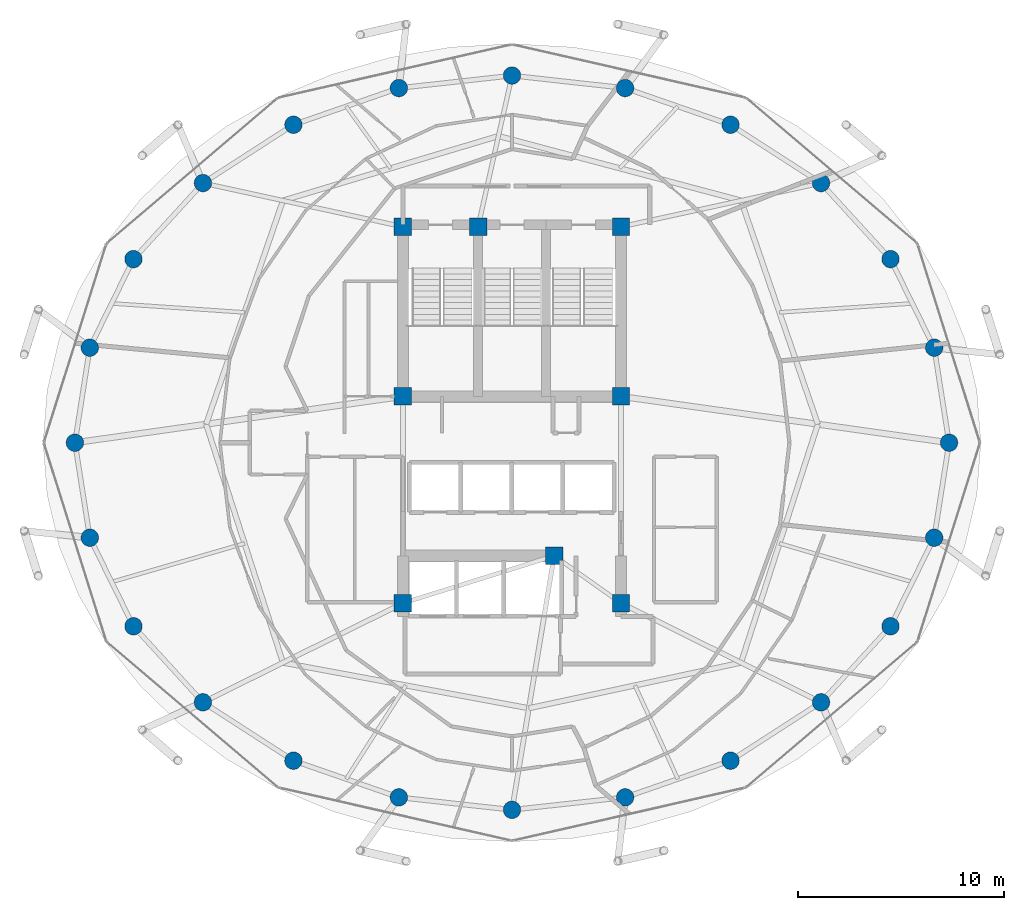
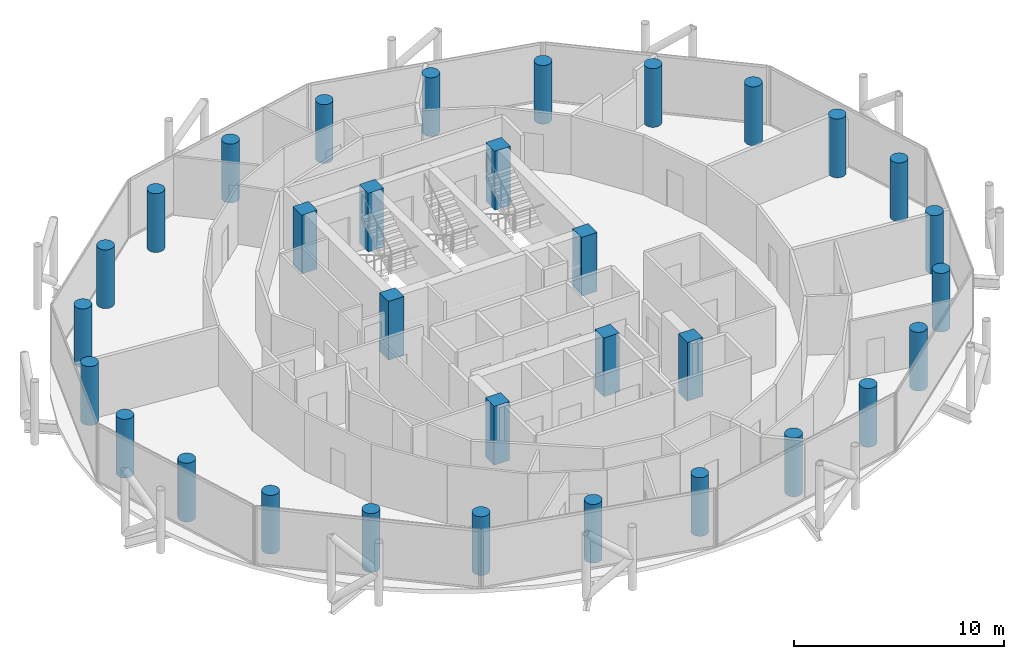
# One storey, part 1 of 27: 32 columns.
"""IFC4 building model written with IfcOpenShell, lengths in metres."""

from ifc_helpers import new_model, si_unit, direction, frame, origin, origin_2d, place, context, subcontext, project, spatial, rectangle, circle, extrude, material, material_profile, profile_set, type_object, element, save


model = new_model("IFC4")

# Units and contexts
model_context = context("Model", 3, precision=1e-05, world=origin(), true_north=direction((0.0, 1.0)))
body_context = subcontext(model_context, "Body", "Model", "MODEL_VIEW")
ifc_project = project(units=[si_unit("LENGTHUNIT", "METRE"), si_unit("AREAUNIT", "SQUARE_METRE"), si_unit("VOLUMEUNIT", "CUBIC_METRE"), si_unit("PLANEANGLEUNIT", "RADIAN"), si_unit("MASSUNIT", "GRAM", prefix="KILO")], contexts=[model_context])

# Site, building, storey
site_placement = place(None, origin())
site = spatial("IfcSite", under=ifc_project, at=site_placement, CompositionType="ELEMENT")
building_placement = place(site_placement, origin())
building = spatial("IfcBuilding", under=site, at=building_placement, Name="Nuhasar Tower", CompositionType="ELEMENT")
storey_placement = place(building_placement, frame((0.0, 0.0, 241.0)))
storey = spatial("IfcBuildingStorey", under=building, at=storey_placement, Name="L59", CompositionType="ELEMENT", Elevation=241.0)

# Columns
ifc_material = material(Name="Concrete C55/67", Category="concrete")
ifc_material_profile_1 = material_profile(ifc_material, circle(Radius=0.425048828125, at=origin_2d()), Name="CFT850")
ifc_profile_set_1 = profile_set([ifc_material_profile_1], Name="Concrete C55/67")
column_type_1 = type_object("IfcColumnType", Name="COL-CFT-850", PredefinedType="COLUMN", material=ifc_profile_set_1)
for number, where, z_axis, x_axis, name in (
    (1, (60.25, 26.800048828125, 0.0), (0.0, 0.0, 1.0), (1.0, 0.0, 0.0), "L59 Perimeter Composite Column TC-01"),
    (2, (59.52587890625, 31.419921875, 0.0), (0.0, 0.0, 1.0), (1.0, 0.0, 0.0), "L59 Perimeter Composite Column TC-02"),
    (3, (57.403076171875, 35.72509765625, 0.0), (0.0, 0.0, 1.0), (1.0, 0.0, 0.0), "L59 Perimeter Composite Column TC-03"),
    (4, (54.02587890625, 39.422119140625, 0.0), (0.0, 0.0, 1.0), (1.0, 0.0, 0.0), "L59 Perimeter Composite Column TC-04"),
    (5, (49.625, 42.259033203125, 0.0), (0.0, 0.0, 1.0), (1.0, 0.0, 0.0), "L59 Perimeter Composite Column TC-05"),
    (6, (44.5, 44.0419921875, 0.0), (0.0, 0.0, 1.0), (1.0, 0.0, 0.0), "L59 Perimeter Composite Column TC-06"),
    (7, (39.0, 44.64990234375, 0.0), (0.0, 0.0, 1.0), (1.0, 0.0, 0.0), "L59 Perimeter Composite Column TC-07"),
    (8, (33.5, 44.0419921875, 0.0), (0.0, 0.0, 1.0), (1.0, 0.0, 0.0), "L59 Perimeter Composite Column TC-08"),
    (9, (28.375, 42.259033203125, 0.0), (0.0, 0.0, 1.0), (1.0, 0.0, 0.0), "L59 Perimeter Composite Column TC-09"),
    (10, (23.97412109375, 39.422119140625, 0.0), (0.0, 0.0, 1.0), (1.0, 0.0, 0.0), "L59 Perimeter Composite Column TC-10"),
    (11, (20.596923828125, 35.72509765625, 0.0), (0.0, 0.0, 1.0), (1.0, 0.0, 0.0), "L59 Perimeter Composite Column TC-11"),
    (12, (18.47412109375, 31.419921875, 0.0), (0.0, 0.0, 1.0), (1.0, 0.0, 0.0), "L59 Perimeter Composite Column TC-12"),
    (13, (17.75, 26.800048828125, 0.0), (0.0, 0.0, 1.0), (1.0, 0.0, 0.0), "L59 Perimeter Composite Column TC-13"),
    (14, (18.47412109375, 22.179931640625, 0.0), (0.0, 0.0, 1.0), (1.0, 0.0, 0.0), "L59 Perimeter Composite Column TC-14"),
    (15, (20.596923828125, 17.875, 0.0), (0.0, 0.0, 1.0), (1.0, 0.0, 0.0), "L59 Perimeter Composite Column TC-15"),
    (16, (23.97412109375, 14.177978515625, 0.0), (0.0, 0.0, 1.0), (1.0, 0.0, 0.0), "L59 Perimeter Composite Column TC-16"),
    (17, (28.375, 11.341064453125, 0.0), (0.0, 0.0, 1.0), (1.0, 0.0, 0.0), "L59 Perimeter Composite Column TC-17"),
    (18, (33.5, 9.55810546875, 0.0), (0.0, 0.0, 1.0), (1.0, 0.0, 0.0), "L59 Perimeter Composite Column TC-18"),
    (19, (39.0, 8.949951171875, 0.0), (0.0, 0.0, 1.0), (1.0, 0.0, 0.0), "L59 Perimeter Composite Column TC-19"),
    (20, (44.5, 9.55810546875, 0.0), (0.0, 0.0, 1.0), (1.0, 0.0, 0.0), "L59 Perimeter Composite Column TC-20"),
    (21, (49.625, 11.341064453125, 0.0), (0.0, 0.0, 1.0), (1.0, 0.0, 0.0), "L59 Perimeter Composite Column TC-21"),
    (22, (54.02587890625, 14.177978515625, 0.0), (0.0, 0.0, 1.0), (1.0, 0.0, 0.0), "L59 Perimeter Composite Column TC-22"),
    (23, (57.403076171875, 17.875, 0.0), (0.0, 0.0, 1.0), (1.0, 0.0, 0.0), "L59 Perimeter Composite Column TC-23"),
    (24, (59.52587890625, 22.179931640625, 0.0), (0.0, 0.0, 1.0), (1.0, 0.0, 0.0), "L59 Perimeter Composite Column TC-24"),
):
    element("IfcColumn", number, at=place(storey_placement, frame(where, z_axis=z_axis, x_axis=x_axis)), inside=storey, type_object=column_type_1, Name=name, PredefinedType="COLUMN", context=body_context, shape_type="SweptSolid", body=[
        extrude(circle(Radius=0.425048828125, at=origin_2d()), origin(), (0.0, 0.0, 1.0), 3.409912109375),
    ])
ifc_material_profile_2 = material_profile(ifc_material, rectangle(XDim=0.85009765625, YDim=0.85009765625, at=origin_2d()), Name="RC850X850")
ifc_profile_set_2 = profile_set([ifc_material_profile_2], Name="Concrete C55/67")
column_type_2 = type_object("IfcColumnType", Name="PIL-RC-850", PredefinedType="PILASTER", material=ifc_profile_set_2)
for number, where, z_axis, x_axis, name in (
    (25, (33.699951171875, 19.0, 0.0), (0.0, 0.0, 1.0), (1.0, 0.0, 0.0), "L59 Core Boundary Pilaster CC-01"),
    (26, (41.050048828125, 21.300048828125, 0.0), (0.0, 0.0, 1.0), (1.0, 0.0, 0.0), "L59 Core Boundary Pilaster CC-02"),
    (27, (44.300048828125, 19.0, 0.0), (0.0, 0.0, 1.0), (1.0, 0.0, 0.0), "L59 Core Boundary Pilaster CC-03"),
    (28, (44.300048828125, 29.050048828125, 0.0), (0.0, 0.0, 1.0), (1.0, 0.0, 0.0), "L59 Core Boundary Pilaster CC-04"),
    (29, (44.300048828125, 37.300048828125, 0.0), (0.0, 0.0, 1.0), (1.0, 0.0, 0.0), "L59 Core Boundary Pilaster CC-05"),
    (30, (37.35009765625, 37.300048828125, 0.0), (0.0, 0.0, 1.0), (1.0, 0.0, 0.0), "L59 Core Boundary Pilaster CC-06"),
    (31, (33.699951171875, 37.300048828125, 0.0), (0.0, 0.0, 1.0), (1.0, 0.0, 0.0), "L59 Core Boundary Pilaster CC-07"),
    (32, (33.699951171875, 29.050048828125, 0.0), (0.0, 0.0, 1.0), (1.0, 0.0, 0.0), "L59 Core Boundary Pilaster CC-08"),
):
    element("IfcColumn", number, at=place(storey_placement, frame(where, z_axis=z_axis, x_axis=x_axis)), inside=storey, type_object=column_type_2, Name=name, PredefinedType="PILASTER", context=body_context, shape_type="SweptSolid", body=[
        extrude(rectangle(XDim=0.85009765625, YDim=0.85009765625, at=origin_2d()), origin(), (0.0, 0.0, 1.0), 3.409912109375),
    ])

save(model, "model.ifc")
